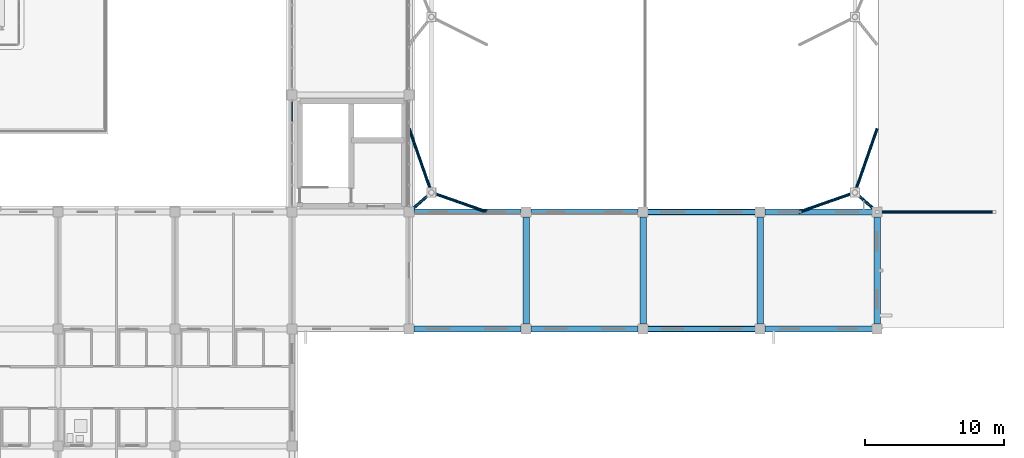
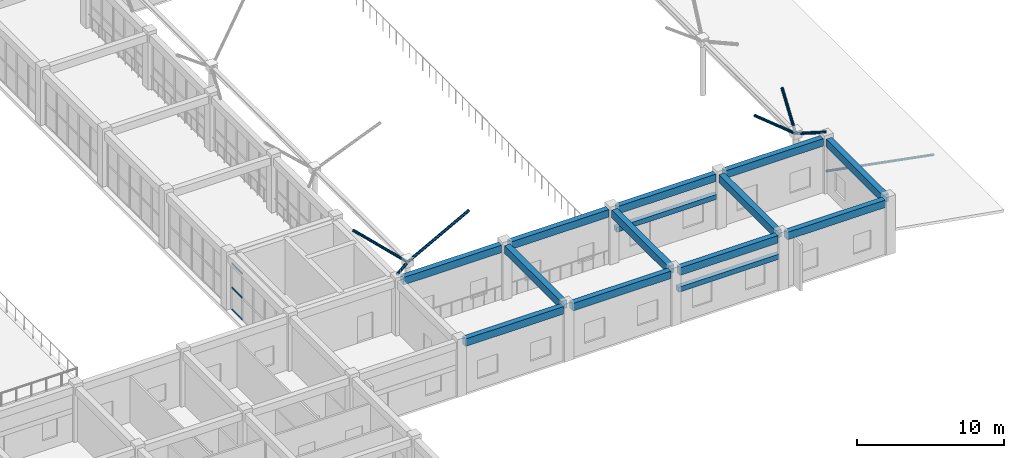
# One storey, part 92 of 158: 14 beams, 10 members, 1 element without a shape of its own.
"""IFC4 building model written with IfcOpenShell, lengths in metres."""

from ifc_helpers import new_model, si_unit, direction, frame, origin, origin_2d, place, context, subcontext, project, spatial, rectangle, hollow_rectangle, hollow_circle, extrude, material, layer, layer_set, material_profile, profile_set, type_object, element, aggregate, save


model = new_model("IFC4")

# Units and contexts
model_context = context("Model", 3, precision=1e-05, world=origin(), true_north=direction((0.0, 1.0)))
body_context = subcontext(model_context, "Body", "Model", "MODEL_VIEW")
ifc_project = project(units=[si_unit("LENGTHUNIT", "METRE"), si_unit("AREAUNIT", "SQUARE_METRE"), si_unit("VOLUMEUNIT", "CUBIC_METRE"), si_unit("PLANEANGLEUNIT", "RADIAN"), si_unit("MASSUNIT", "GRAM", prefix="KILO")], contexts=[model_context])

# Site, building, storey
site_placement = place(None, origin())
site = spatial("IfcSite", under=ifc_project, at=site_placement, CompositionType="ELEMENT")
building_placement = place(site_placement, origin())
building = spatial("IfcBuilding", under=site, at=building_placement, Name="Trelvath General Hospital", CompositionType="ELEMENT")
storey_placement = place(building_placement, frame((0.0, 0.0, 8.10009765625)))
storey = spatial("IfcBuildingStorey", under=building, at=storey_placement, Name="L02", CompositionType="ELEMENT", Elevation=8.10009765625)

# Beams
ifc_material_1 = material(Name="Concrete C35/45", Category="concrete")
ifc_material_profile_1 = material_profile(ifc_material_1, rectangle(XDim=0.419921875, YDim=0.6201171875, at=origin_2d()), Name="RCB420x620")
ifc_profile_set_1 = profile_set([ifc_material_profile_1], Name="Concrete C35/45")
beam_type_1 = type_object("IfcBeamType", Name="Beam RC420x620", PredefinedType="BEAM", material=ifc_profile_set_1)
for number, where, z_axis, x_axis, name in (
    (1, (143.155029296875, 16.800048828125, 4.2099609375), (1.0, 0.0, 0.0), (0.0, 1.0, 0.0), "Grid Beam BX-217C"),
    (2, (143.155029296875, 25.199951171875, 4.2099609375), (1.0, 0.0, 0.0), (0.0, 1.0, 0.0), "Grid Beam BX-217D"),
):
    element("IfcBeam", number, at=place(storey_placement, frame(where, z_axis=z_axis, x_axis=x_axis)), inside=storey, type_object=beam_type_1, Name=name, PredefinedType="BEAM", context=body_context, shape_type="SweptSolid", body=[
        extrude(rectangle(XDim=0.419921875, YDim=0.6201171875, at=origin_2d()), origin(), (0.0, 0.0, 1.0), 7.68994140625),
    ])
for number, where, z_axis, x_axis, name in (
    (3, (151.554931640625, 16.800048828125, 4.2099609375), (1.0, 0.0, 0.0), (0.0, 1.0, 0.0), "Grid Beam BX-218C"),
    (4, (151.554931640625, 25.199951171875, 4.2099609375), (1.0, 0.0, 0.0), (0.0, 1.0, 0.0), "Grid Beam BX-218D"),
):
    element("IfcBeam", number, at=place(storey_placement, frame(where, z_axis=z_axis, x_axis=x_axis)), inside=storey, type_object=beam_type_1, Name=name, PredefinedType="BEAM", context=body_context, shape_type="SweptSolid", body=[
        extrude(rectangle(XDim=0.419921875, YDim=0.6201171875, at=origin_2d()), origin(), (0.0, 0.0, 1.0), 7.690185546875),
    ])
for number, where, z_axis, x_axis, name in (
    (5, (159.955078125, 16.800048828125, 4.2099609375), (1.0, 0.0, 0.0), (0.0, 1.0, 0.0), "Grid Beam BX-219C"),
    (6, (159.955078125, 25.199951171875, 4.2099609375), (1.0, 0.0, 0.0), (0.0, 1.0, 0.0), "Grid Beam BX-219D"),
    (7, (168.35498046875, 16.800048828125, 4.2099609375), (1.0, 0.0, 0.0), (0.0, 1.0, 0.0), "Grid Beam BX-220C"),
    (8, (168.35498046875, 25.199951171875, 4.2099609375), (1.0, 0.0, 0.0), (0.0, 1.0, 0.0), "Grid Beam BX-220D"),
):
    element("IfcBeam", number, at=place(storey_placement, frame(where, z_axis=z_axis, x_axis=x_axis)), inside=storey, type_object=beam_type_1, Name=name, PredefinedType="BEAM", context=body_context, shape_type="SweptSolid", body=[
        extrude(rectangle(XDim=0.419921875, YDim=0.6201171875, at=origin_2d()), origin(), (0.0, 0.0, 1.0), 7.68994140625),
    ])
ifc_material_2 = material(Name="Concrete C35/45", Category="concrete")
ifc_material_profile_2 = material_profile(ifc_material_2, rectangle(XDim=0.449951171875, YDim=0.64990234375, at=origin_2d()), Name="RCB450x650")
ifc_profile_set_2 = profile_set([ifc_material_profile_2], Name="Concrete C35/45")
beam_type_2 = type_object("IfcBeamType", Name="Beam RC450x650", PredefinedType="BEAM", material=ifc_profile_set_2)
for number, where, z_axis, x_axis, name in (
    (9, (151.199951171875, 17.155029296875, 4.19482421875), (0.0, 1.0, 0.0), (-1.0, 0.0, 0.0), "Grid Beam BY-218C"),
    (10, (159.60009765625, 17.155029296875, 4.19482421875), (0.0, 1.0, 0.0), (-1.0, 0.0, 0.0), "Grid Beam BY-219C"),
    (11, (168.0, 17.155029296875, 4.19482421875), (0.0, 1.0, 0.0), (-1.0, 0.0, 0.0), "Grid Beam BY-220C"),
    (12, (176.39990234375, 17.155029296875, 4.19482421875), (0.0, 1.0, 0.0), (-1.0, 0.0, 0.0), "Grid Beam BY-221C"),
):
    element("IfcBeam", number, at=place(storey_placement, frame(where, z_axis=z_axis, x_axis=x_axis)), inside=storey, type_object=beam_type_2, Name=name, PredefinedType="BEAM", context=body_context, shape_type="SweptSolid", body=[
        extrude(rectangle(XDim=0.449951171875, YDim=0.64990234375, at=origin_2d()), origin(), (0.0, 0.0, 1.0), 7.68994140625),
    ])

# Curtain wall, members
ifc_material_3 = material(Name="Anodised aluminium and low-E glass", Category="aluminium")
ifc_layer = layer(ifc_material_3, 0.179931640625)
ifc_layer_set = layer_set([ifc_layer], Name="Anodised aluminium and low-E glass")
curtain_wall_type = type_object("IfcCurtainWallType", Name="CW Facade 757 386 18", PredefinedType="USERDEFINED", material=ifc_layer_set)
curtain_wall_placement = place(storey_placement, origin())
curtain_wall = element("IfcCurtainWall", 13, at=curtain_wall_placement, inside=storey, type_object=curtain_wall_type, Name="Facade Curtain Wall CW-046", ObjectType="Unitised Glazed Curtain Wall", PredefinedType="USERDEFINED")
ifc_material_4 = material(Name="Anodised aluminium", Category="aluminium")
ifc_material_profile_3 = material_profile(ifc_material_4, hollow_rectangle(XDim=0.06494140625, YDim=0.14501953125, WallThickness=0.00390625, at=origin_2d()), Name="RHS65x145x4")
ifc_profile_set_3 = profile_set([ifc_material_profile_3], Name="Anodised aluminium")
member_type_1 = type_object("IfcMemberType", Name="CurtainTransom 65x145", PredefinedType="USERDEFINED", material=ifc_profile_set_3)
member_1_placement = place(storey_placement, frame((134.39990234375, 31.70361328125, 0.032470703125), z_axis=(0.0, 1.0, 0.0), x_axis=(-1.0, 0.0, 0.0)))
member_1 = element("IfcMember", 14, at=member_1_placement, type_object=member_type_1, Name="CW-046 transom 5.1", ObjectType="TRANSOM", PredefinedType="USERDEFINED", context=body_context, shape_type="SweptSolid", body=[
    extrude(hollow_rectangle(XDim=0.06494140625, YDim=0.14501953125, WallThickness=0.00390625, at=origin_2d()), origin(), (0.0, 0.0, 1.0), 1.41650390625),
])
member_2_placement = place(storey_placement, frame((134.39990234375, 31.70361328125, 1.852783203125), z_axis=(0.0, 1.0, 0.0), x_axis=(-1.0, 0.0, 0.0)))
member_2 = element("IfcMember", 15, at=member_2_placement, type_object=member_type_1, Name="CW-046 transom 5.2", ObjectType="TRANSOM", PredefinedType="USERDEFINED", context=body_context, shape_type="SweptSolid", body=[
    extrude(hollow_rectangle(XDim=0.06494140625, YDim=0.14501953125, WallThickness=0.00390625, at=origin_2d()), origin(), (0.0, 0.0, 1.0), 1.41650390625),
])
member_3_placement = place(storey_placement, frame((134.39990234375, 31.70361328125, 3.827392578125), z_axis=(0.0, 1.0, 0.0), x_axis=(-1.0, 0.0, 0.0)))
member_3 = element("IfcMember", 16, at=member_3_placement, type_object=member_type_1, Name="CW-046 transom 5.3", ObjectType="TRANSOM", PredefinedType="USERDEFINED", context=body_context, shape_type="SweptSolid", body=[
    extrude(hollow_rectangle(XDim=0.06494140625, YDim=0.14501953125, WallThickness=0.00390625, at=origin_2d()), origin(), (0.0, 0.0, 1.0), 1.41650390625),
])
aggregate(curtain_wall, [member_1, member_2, member_3])

# Beams
ifc_material_5 = material(Name="Precast concrete C40/50", Category="concrete")
ifc_material_profile_4 = material_profile(ifc_material_5, rectangle(XDim=0.35009765625, YDim=0.419921875, at=origin_2d()), Name="PCL350x420")
ifc_profile_set_4 = profile_set([ifc_material_profile_4], Name="Precast concrete C40/50")
beam_type_3 = type_object("IfcBeamType", Name="Lintel PC350x420", PredefinedType="LINTEL", material=ifc_profile_set_4)
for number, where, z_axis, x_axis, name in (
    (17, (167.72509765625, 16.800048828125, 2.719970703125), (-1.0, 0.0, 0.0), (0.0, -1.0, 0.0), "Precast Window Brow Lintel L02-316"),
    (18, (159.875, 25.199951171875, 2.58984375), (1.0, 0.0, 0.0), (0.0, 1.0, 0.0), "Precast Window Brow Lintel L02-317"),
):
    element("IfcBeam", number, at=place(storey_placement, frame(where, z_axis=z_axis, x_axis=x_axis)), inside=storey, type_object=beam_type_3, Name=name, PredefinedType="LINTEL", context=body_context, shape_type="SweptSolid", body=[
        extrude(rectangle(XDim=0.35009765625, YDim=0.419921875, at=origin_2d()), origin(), (0.0, 0.0, 1.0), 7.85009765625),
    ])

# Members
ifc_material_6 = material(Name="Steel S355", Category="steel")
ifc_material_profile_5 = material_profile(ifc_material_6, hollow_circle(Radius=0.096923828125, WallThickness=0.008056640625, at=origin_2d()), Name="CHS193.7x8.0")
ifc_profile_set_5 = profile_set([ifc_material_profile_5], Name="Steel S355")
member_type_2 = type_object("IfcMemberType", Name="ShellStrut CHS193", PredefinedType="STRUT", material=ifc_profile_set_5)
member_4_placement = place(storey_placement, frame((184.800048828125, 25.199951171875, 0.0), z_axis=(-0.982770179759, 0.0, 0.184831744506), x_axis=(0.0, -1.0, 0.0)))
element("IfcMember", 19, at=member_4_placement, inside=storey, type_object=member_type_2, Name="East Arcade Roof Strut 13", PredefinedType="STRUT", context=body_context, shape_type="SweptSolid", body=[
    extrude(hollow_circle(Radius=0.096923828125, WallThickness=0.008056640625, at=origin_2d()), origin(), (0.0, 0.0, 1.0), 8.54736328125),
])
ifc_material_7 = material(Name="Steel S355", Category="steel")
ifc_material_profile_6 = material_profile(ifc_material_7, hollow_circle(Radius=0.109619140625, WallThickness=0.010009765625, at=origin_2d()), Name="CHS219.1x10.0")
ifc_profile_set_6 = profile_set([ifc_material_profile_6], Name="Steel S355")
member_type_3 = type_object("IfcMemberType", Name="TreeStrut CHS219", PredefinedType="STRUT", material=ifc_profile_set_6)
member_5_placement = place(storey_placement, frame((144.39990234375, 26.60009765625, 4.39990234375), z_axis=(-0.739543347433, -0.647227391657, 0.184857622935), x_axis=(0.658577773854, -0.752512668189, 0.0)))
element("IfcMember", 20, at=member_5_placement, inside=storey, type_object=member_type_3, Name="Branching Tree Strut TS-01", PredefinedType="STRUT", context=body_context, shape_type="SweptSolid", body=[
    extrude(hollow_circle(Radius=0.109619140625, WallThickness=0.010009765625, at=origin_2d()), origin(), (0.0, 0.0, 1.0), 2.163330078125),
])
member_6_placement = place(storey_placement, frame((144.39990234375, 26.60009765625, 4.39990234375), z_axis=(0.708228950781, -0.247906068892, 0.661025214559), x_axis=(0.330381217185, 0.943847578442, 0.0)))
element("IfcMember", 21, at=member_6_placement, inside=storey, type_object=member_type_3, Name="Branching Tree Strut TS-02", PredefinedType="STRUT", context=body_context, shape_type="SweptSolid", body=[
    extrude(hollow_circle(Radius=0.109619140625, WallThickness=0.010009765625, at=origin_2d()), origin(), (0.0, 0.0, 1.0), 5.64794921875),
])
member_7_placement = place(storey_placement, frame((144.39990234375, 26.60009765625, 4.39990234375), z_axis=(-0.32740121476, 0.941334699725, 0.081837813181), x_axis=(-0.944502883177, -0.328503125814, 0.0)))
element("IfcMember", 22, at=member_7_placement, inside=storey, type_object=member_type_3, Name="Branching Tree Strut TS-03", PredefinedType="STRUT", context=body_context, shape_type="SweptSolid", body=[
    extrude(hollow_circle(Radius=0.109619140625, WallThickness=0.010009765625, at=origin_2d()), origin(), (0.0, 0.0, 1.0), 4.886474609375),
])
member_8_placement = place(storey_placement, frame((174.800048828125, 26.60009765625, 4.39990234375), z_axis=(0.739543347433, -0.647227391657, 0.184857622935), x_axis=(0.658577773854, 0.752512668189, 0.0)))
element("IfcMember", 23, at=member_8_placement, inside=storey, type_object=member_type_3, Name="Branching Tree Strut TS-13", PredefinedType="STRUT", context=body_context, shape_type="SweptSolid", body=[
    extrude(hollow_circle(Radius=0.109619140625, WallThickness=0.010009765625, at=origin_2d()), origin(), (0.0, 0.0, 1.0), 2.163330078125),
])
member_9_placement = place(storey_placement, frame((174.800048828125, 26.60009765625, 4.39990234375), z_axis=(-0.708228950781, -0.247906068892, 0.661025214559), x_axis=(0.330381217185, -0.943847578442, 0.0)))
element("IfcMember", 24, at=member_9_placement, inside=storey, type_object=member_type_3, Name="Branching Tree Strut TS-14", PredefinedType="STRUT", context=body_context, shape_type="SweptSolid", body=[
    extrude(hollow_circle(Radius=0.109619140625, WallThickness=0.010009765625, at=origin_2d()), origin(), (0.0, 0.0, 1.0), 5.64794921875),
])
member_10_placement = place(storey_placement, frame((174.800048828125, 26.60009765625, 4.39990234375), z_axis=(0.32740121476, 0.941334699725, 0.081837813181), x_axis=(-0.944502883177, 0.328503125814, 0.0)))
element("IfcMember", 25, at=member_10_placement, inside=storey, type_object=member_type_3, Name="Branching Tree Strut TS-15", PredefinedType="STRUT", context=body_context, shape_type="SweptSolid", body=[
    extrude(hollow_circle(Radius=0.109619140625, WallThickness=0.010009765625, at=origin_2d()), origin(), (0.0, 0.0, 1.0), 4.886474609375),
])

save(model, "model.ifc")
